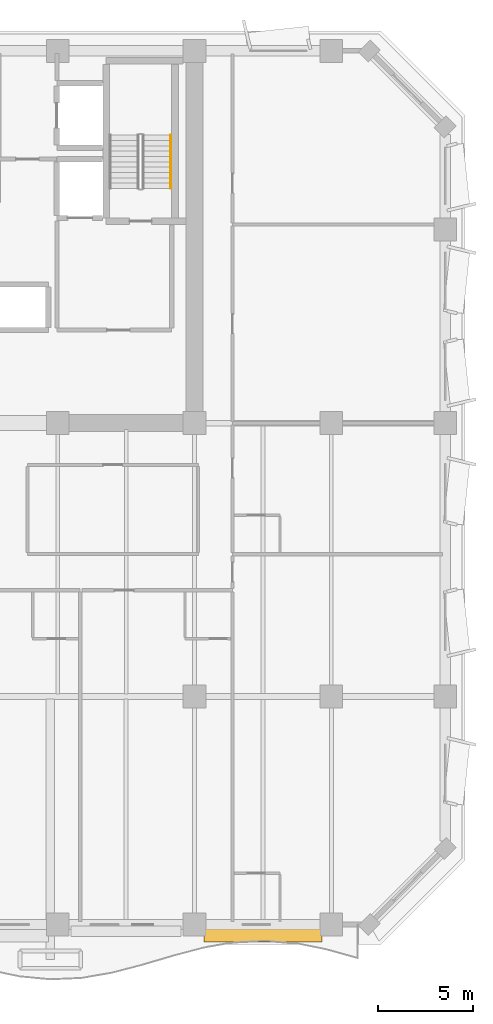
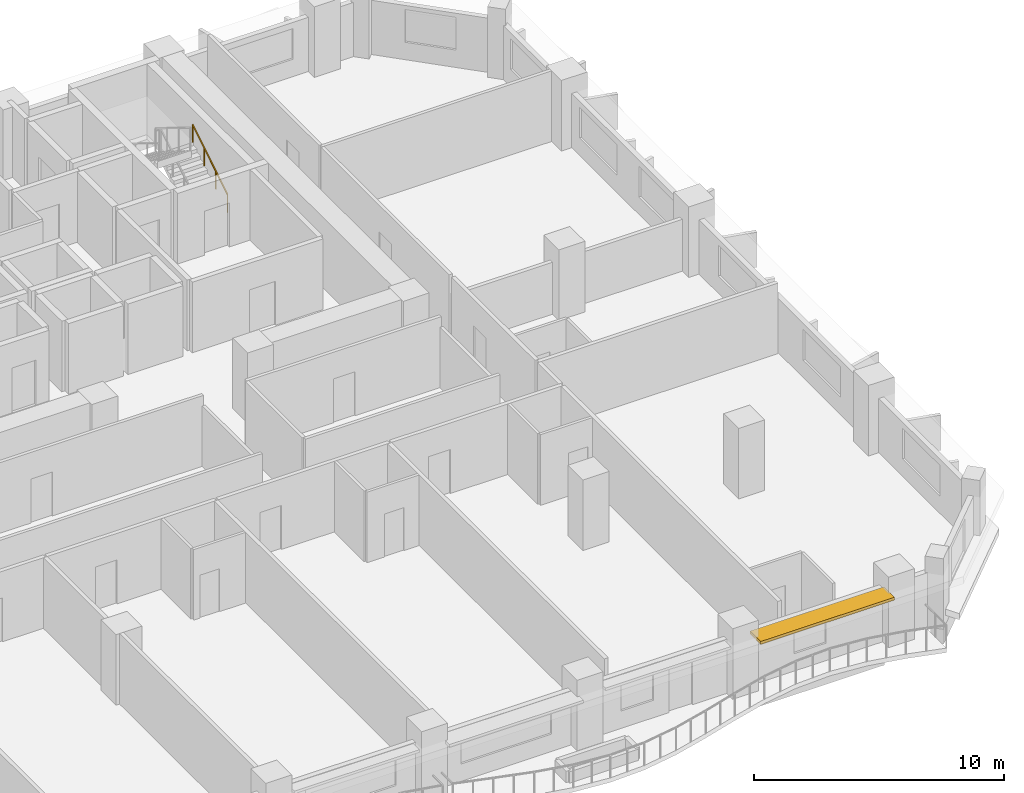
# One storey, part 15 of 15: 1 railing, 1 shading device.
"""IFC4 building model written with IfcOpenShell, lengths in metres."""

import ifcopenshell
import ifcopenshell.guid

model = None  # the IFC model being written
_history = None  # IfcOwnerHistory: only IFC2X3 demands one
_inside = {}  # id of a spatial element -> (the spatial element, [elements in it])
_under = {}  # id of a project, library or spatial element -> (it, [spatial elements below it])
_declared = {}  # id of a project -> (the project, [libraries it declares])
_typed = {}  # id of a type object -> (the type object, [elements of that type])
_made_of = {}  # id of a material, layer set ... -> (it, [elements and type objects made of it])


def new_model(schema):
    """Start an empty IFC model of exactly this schema.

    Asked for "IFC4X3", IfcOpenShell would pick the latest addendum, in which some entities
    have other attributes; the version numbers below select the first issue.
    IFC2X3 requires an IfcOwnerHistory on every rooted entity: one is made here for all.
    """
    global model, _history
    if schema == "IFC4X3":
        model = ifcopenshell.file(schema_version=(4, 3, 0, 0))
    else:
        model = ifcopenshell.file(schema=schema)
    _inside.clear()
    _under.clear()
    _declared.clear()
    _typed.clear()
    _made_of.clear()
    _history = None
    if model.schema == "IFC2X3":
        org = make("IfcOrganization", Name="unknown")
        user = make(
            "IfcPersonAndOrganization",
            ThePerson=make("IfcPerson", FamilyName="unknown"),
            TheOrganization=org,
        )
        app = make(
            "IfcApplication",
            ApplicationDeveloper=org,
            Version="unknown",
            ApplicationFullName="unknown",
            ApplicationIdentifier="unknown",
        )
        _history = make(
            "IfcOwnerHistory",
            OwningUser=user,
            OwningApplication=app,
            ChangeAction="ADDED",
            CreationDate=0,
        )
    return model


def make(cls, **values):
    """One entity of the class cls with the attributes given. An attribute that is None is left unset."""
    return model.create_entity(
        cls, **{name: value for name, value in values.items() if value is not None}
    )


def rooted(cls, **values):
    """An entity with a GlobalId (a new one), such as an element, a storey or a relation."""
    return make(cls, GlobalId=ifcopenshell.guid.new(), OwnerHistory=_history, **values)


def si_unit(unit_type, name, prefix=None):
    """IfcSIUnit, for example si_unit("LENGTHUNIT", "METRE", prefix="MILLI")."""
    return make("IfcSIUnit", UnitType=unit_type, Prefix=prefix, Name=name)


def assignment(units):
    """IfcUnitAssignment: the units of a project."""
    return None if units is None else make("IfcUnitAssignment", Units=units)


def point(xyz):
    """IfcCartesianPoint."""
    return None if xyz is None else make("IfcCartesianPoint", Coordinates=xyz)


def direction(xyz):
    """IfcDirection."""
    return None if xyz is None else make("IfcDirection", DirectionRatios=xyz)


def frame(location, z_axis=None, x_axis=None):
    """IfcAxis2Placement3D, a coordinate frame: its origin and axes. An axis left out is left unset."""
    return make(
        "IfcAxis2Placement3D",
        Location=point(location),
        Axis=direction(z_axis),
        RefDirection=direction(x_axis),
    )


def frame_2d(location, x_axis=None):
    """IfcAxis2Placement2D, a coordinate frame in the plane: its origin and x axis."""
    return make(
        "IfcAxis2Placement2D", Location=point(location), RefDirection=direction(x_axis)
    )


def origin():
    """The frame at (0, 0, 0) with its axes left unset."""
    return frame((0.0, 0.0, 0.0))


def origin_2d():
    """The frame at (0, 0) in the plane with its x axis left unset."""
    return frame_2d((0.0, 0.0))


def place(relative_to, where):
    """IfcLocalPlacement: puts the frame where relative to a parent placement (None: the world)."""
    return make(
        "IfcLocalPlacement", PlacementRelTo=relative_to, RelativePlacement=where
    )


def context(
    kind, dimensions, precision=None, world=None, true_north=None, identifier=None
):
    """IfcGeometricRepresentationContext, for example the 3D "Model" context."""
    return make(
        "IfcGeometricRepresentationContext",
        ContextIdentifier=identifier,
        ContextType=kind,
        CoordinateSpaceDimension=dimensions,
        Precision=precision,
        WorldCoordinateSystem=world,
        TrueNorth=true_north,
    )


def subcontext(parent, identifier, kind, view, scale=None):
    """IfcGeometricRepresentationSubContext, for example "Body" below "Model"."""
    return make(
        "IfcGeometricRepresentationSubContext",
        ContextIdentifier=identifier,
        ContextType=kind,
        ParentContext=parent,
        TargetScale=scale,
        TargetView=view,
    )


def project(units=None, contexts=None):
    """IfcProject with its units and contexts."""
    return rooted(
        "IfcProject",
        Name="project",
        RepresentationContexts=contexts,
        UnitsInContext=assignment(units),
    )


def spatial(cls, under=None, at=None, **own):
    """A site, building, storey or space (cls), placed at a placement, below another one or the project."""
    s = rooted(cls, ObjectPlacement=at, **own)
    if under is not None:
        _under.setdefault(under.id(), (under, []))[1].append(s)
    return s


def profile(cls, at=None, kind="AREA", **sizes):
    """A parametric profile (cls). Its sizes go by their IFC names, for example OverallWidth=200.0."""
    return make(cls, ProfileType=kind, Position=at, **sizes)


def rectangle(**sizes):
    """IfcRectangleProfileDef."""
    return profile("IfcRectangleProfileDef", **sizes)


def extrude(swept, where, along, depth):
    """IfcExtrudedAreaSolid: the profile swept, set in the frame where, extruded along a direction by depth."""
    return make(
        "IfcExtrudedAreaSolid",
        SweptArea=swept,
        Position=where,
        ExtrudedDirection=direction(along),
        Depth=depth,
    )


def shape(context_of_items, identifier, shape_type, items):
    """IfcShapeRepresentation: the items that make up one representation, for example the "Body"."""
    return make(
        "IfcShapeRepresentation",
        ContextOfItems=context_of_items,
        RepresentationIdentifier=identifier,
        RepresentationType=shape_type,
        Items=items,
    )


def material(Name=None, Category=None):
    """IfcMaterial."""
    return make("IfcMaterial", Name=Name, Category=Category)


def layer(
    of_material, thickness, ventilated=None, Name=None, Category=None, Priority=None
):
    """IfcMaterialLayer: one layer of a wall or slab, of a material (None: an air gap)."""
    return make(
        "IfcMaterialLayer",
        Material=of_material,
        LayerThickness=thickness,
        IsVentilated=ventilated,
        Name=Name,
        Category=Category,
        Priority=Priority,
    )


def layer_set(layers, Name=None):
    """IfcMaterialLayerSet."""
    return make("IfcMaterialLayerSet", MaterialLayers=layers, LayerSetName=Name)


def made_of(thing, what):
    """Note that an element or type object is made of a material, layer set ...; save() writes the relation."""
    if what is not None:
        _made_of.setdefault(what.id(), (what, []))[1].append(thing)
    return thing


def type_object(cls, material=None, **own):
    """A type object (cls), such as IfcWallType, which elements share."""
    return made_of(rooted(cls, **own), material)


def element(
    cls,
    number,
    at=None,
    inside=None,
    cuts=None,
    type_object=None,
    material=None,
    context=None,
    identifier="Body",
    shape_type=None,
    held_by="IfcProductDefinitionShape",
    body=None,
    shapes=None,
    **own,
):
    """One element of the class cls, such as IfcWall. Its Tag is "e" and its number.

    at: its placement. inside: the storey or other place that contains it. cuts: it is an
    opening in that element (IfcRelVoidsElement). A single representation is given by context,
    identifier, shape_type and body (its items); several are given by shapes. held_by: the class
    of the entity that holds the representations. save() writes the other relations.
    """
    e = rooted(cls, Tag="e%d" % number, ObjectPlacement=at, **own)
    if body is not None:
        shapes = [shape(context, identifier, shape_type, body)]
    if shapes is not None:
        e.Representation = make(held_by, Representations=shapes)
    if inside is not None:
        _inside.setdefault(inside.id(), (inside, []))[1].append(e)
    if cuts is not None:
        rooted(
            "IfcRelVoidsElement", RelatingBuildingElement=cuts, RelatedOpeningElement=e
        )
    if type_object is not None:
        _typed.setdefault(type_object.id(), (type_object, []))[1].append(e)
    return made_of(e, material)


def aggregate(whole, parts):
    """IfcRelAggregates: a whole, such as a stair, and the parts it consists of."""
    return rooted("IfcRelAggregates", RelatingObject=whole, RelatedObjects=parts)


def save(model, path):
    """Write the relations noted so far, then the file.

    IfcRelAggregates (storeys below a building ...), IfcRelContainedInSpatialStructure (elements
    in a storey), IfcRelDefinesByType, IfcRelAssociatesMaterial and IfcRelDeclares: one each for
    every whole, place, type object, material and project.
    """
    for whole, parts in _under.values():
        aggregate(whole, parts)
    for where, things in _inside.values():
        rooted(
            "IfcRelContainedInSpatialStructure",
            RelatedElements=things,
            RelatingStructure=where,
        )
    for kind, things in _typed.values():
        rooted("IfcRelDefinesByType", RelatedObjects=things, RelatingType=kind)
    for what, things in _made_of.values():
        rooted("IfcRelAssociatesMaterial", RelatedObjects=things, RelatingMaterial=what)
    for by, libraries in _declared.values():
        rooted("IfcRelDeclares", RelatingContext=by, RelatedDefinitions=libraries)
    model.write(path)


model = new_model("IFC4")

# Units and contexts
model_context = context("Model", 3, precision=1e-05, world=origin(), true_north=direction((0.0, 1.0)))
body_context = subcontext(model_context, "Body", "Model", "MODEL_VIEW")
ifc_project = project(units=[si_unit("LENGTHUNIT", "METRE"), si_unit("AREAUNIT", "SQUARE_METRE"), si_unit("VOLUMEUNIT", "CUBIC_METRE"), si_unit("PLANEANGLEUNIT", "RADIAN"), si_unit("MASSUNIT", "GRAM", prefix="KILO")], contexts=[model_context])

# Site, building, storey
site_placement = place(None, origin())
site = spatial("IfcSite", under=ifc_project, at=site_placement, CompositionType="ELEMENT")
building_placement = place(site_placement, origin())
building = spatial("IfcBuilding", under=site, at=building_placement, Name="Kaelvorn Grand Hotel", CompositionType="ELEMENT")
storey_placement = place(building_placement, frame((0.0, 0.0, 180.949951171875)))
storey = spatial("IfcBuildingStorey", under=building, at=storey_placement, Name="L44", CompositionType="ELEMENT", Elevation=180.949951171875)

# Railing
ifc_material_1 = material(Name="Stainless Steel", Category="steel")
railing_type = type_object("IfcRailingType", Name="RL-HANDRAIL-900", PredefinedType="HANDRAIL", material=ifc_material_1)
railing_placement = place(storey_placement, frame((66.550048828125, 41.760009765625, 0.1728515625)))
element("IfcRailing", 1, at=railing_placement, inside=storey, type_object=railing_type, Name="L44 ST3 stair handrail 1", PredefinedType="HANDRAIL", context=body_context, shape_type="SweptSolid", body=[
    extrude(rectangle(XDim=0.048095703125, YDim=0.048095703125, at=origin_2d()), frame((0.0, 0.0, 0.8759765625), z_axis=(0.0, 0.851089632645, 0.525020415988), x_axis=(-1.0, 0.0, 0.0)), (0.0, 0.0, 1.0), 3.2900390625),
    extrude(rectangle(XDim=0.0419921875, YDim=0.0419921875, at=origin_2d()), origin(), (0.0, 0.0, 1.0), 0.851806640625),
    extrude(rectangle(XDim=0.0419921875, YDim=0.0419921875, at=origin_2d()), frame((0.0, 0.933349609375, 0.57568359375)), (0.0, 0.0, 1.0), 0.851806640625),
    extrude(rectangle(XDim=0.0419921875, YDim=0.0419921875, at=origin_2d()), frame((0.0, 1.86669921875, 1.151611328125)), (0.0, 0.0, 1.0), 0.851806640625),
    extrude(rectangle(XDim=0.0419921875, YDim=0.0419921875, at=origin_2d()), frame((0.0, 2.800048828125, 1.727294921875)), (0.0, 0.0, 1.0), 0.851806640625),
])

# Shading device
ifc_material_2 = material(Name="Precast concrete C45/55", Category="concrete")
ifc_layer = layer(ifc_material_2, 0.139892578125)
ifc_layer_set = layer_set([ifc_layer], Name="Precast concrete C45/55")
shading_device_type = type_object("IfcShadingDeviceType", Name="SHD-SUNSHADE-850", PredefinedType="USERDEFINED", material=ifc_layer_set)
shading_device_placement = place(storey_placement, frame((71.39990234375, 2.4951171875, 2.5), z_axis=(0.0, 0.0, 1.0), x_axis=(1.0, 0.0, 0.0)))
element("IfcShadingDevice", 2, at=shading_device_placement, inside=storey, type_object=shading_device_type, Name="L44 Horizontal Concrete Sunshade Band SS-10", ObjectType="SUNSHADE", PredefinedType="USERDEFINED", context=body_context, shape_type="SweptSolid", body=[
    extrude(rectangle(XDim=6.199951171875, YDim=0.85009765625, at=origin_2d()), origin(), (0.0, 0.0, 1.0), 0.139892578125),
])

save(model, "model.ifc")
